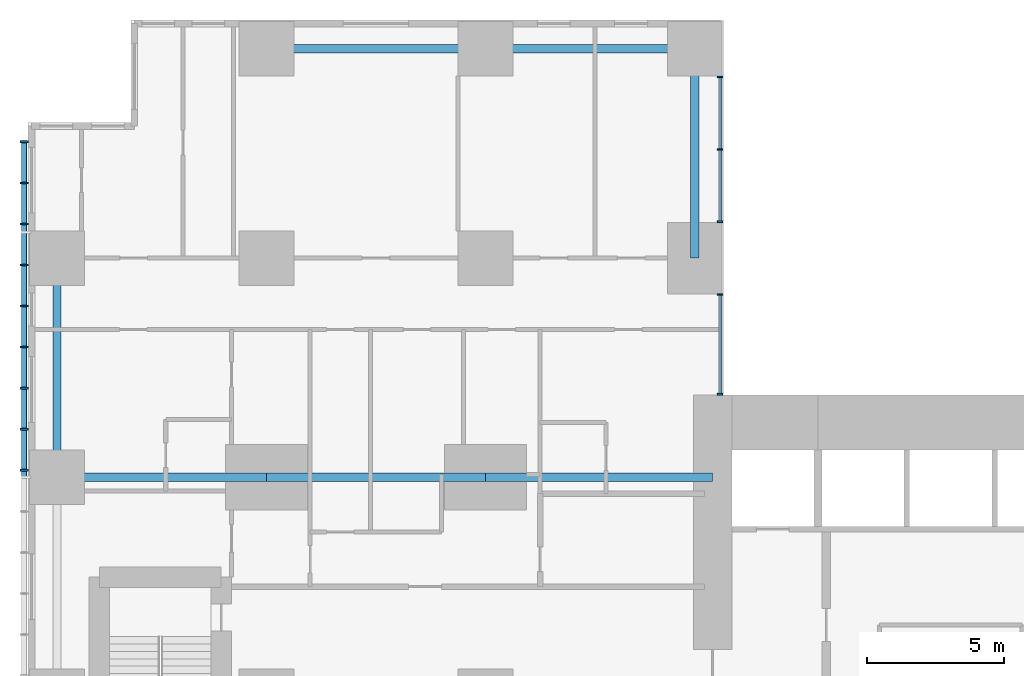
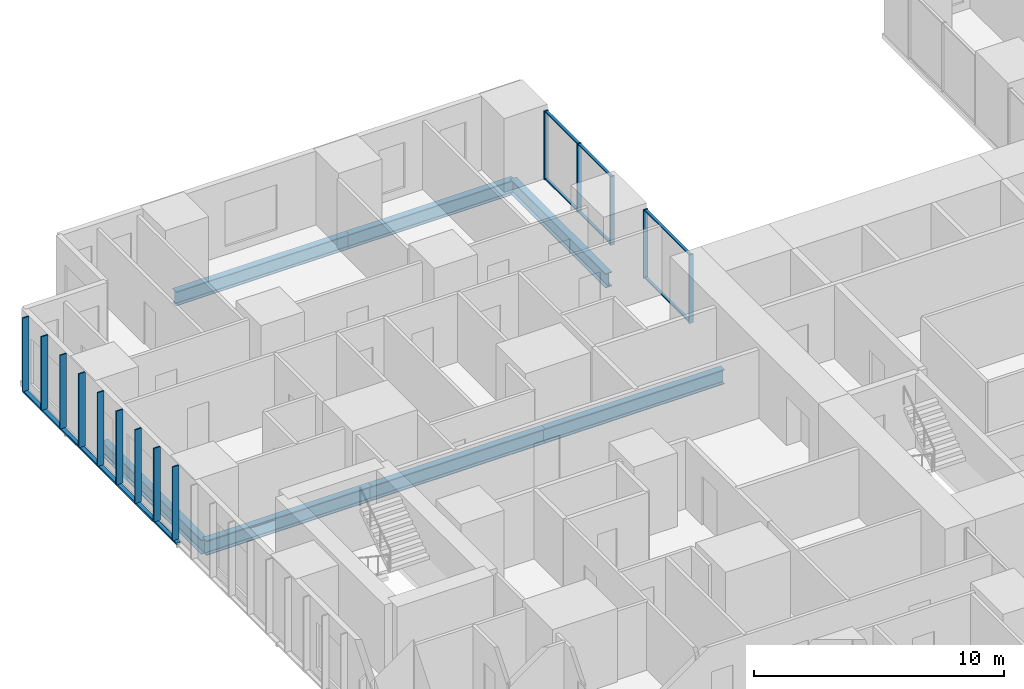
# One storey, part 4 of 20: 21 members, 7 beams, 2 elements without a shape of their own.
"""IFC4 building model written with IfcOpenShell, lengths in metres."""

from ifc_helpers import new_model, si_unit, direction, frame, origin, origin_2d, place, context, subcontext, project, spatial, rectangle, hollow_rectangle, i_section, extrude, material, layer, layer_set, material_profile, profile_set, type_object, element, aggregate, save


model = new_model("IFC4")

# Units and contexts
model_context = context("Model", 3, precision=1e-05, world=origin(), true_north=direction((0.0, 1.0)))
body_context = subcontext(model_context, "Body", "Model", "MODEL_VIEW")
ifc_project = project(units=[si_unit("LENGTHUNIT", "METRE"), si_unit("AREAUNIT", "SQUARE_METRE"), si_unit("VOLUMEUNIT", "CUBIC_METRE"), si_unit("PLANEANGLEUNIT", "RADIAN"), si_unit("MASSUNIT", "GRAM", prefix="KILO")], contexts=[model_context])

# Site, building, storey
site_placement = place(None, origin())
site = spatial("IfcSite", under=ifc_project, at=site_placement, CompositionType="ELEMENT")
building_placement = place(site_placement, origin())
building = spatial("IfcBuilding", under=site, at=building_placement, Name="Cleftline Residences", CompositionType="ELEMENT")
storey_placement = place(building_placement, frame((0.0, 0.0, 150.199951171875)))
storey = spatial("IfcBuildingStorey", under=building, at=storey_placement, Name="L39", CompositionType="ELEMENT", Elevation=150.199951171875)

# Member
ifc_material_1 = material(Name="Steel S355, hot-dip galvanised", Category="steel")
ifc_material_profile_1 = material_profile(ifc_material_1, hollow_rectangle(XDim=0.10009765625, YDim=0.199951171875, WallThickness=0.008056640625, InnerFilletRadius=0.008056640625, OuterFilletRadius=0.011962890625, at=origin_2d()))
ifc_profile_set_1 = profile_set([ifc_material_profile_1], Name="Steel S355, hot-dip galvanised")
member_type_1 = type_object("IfcMemberType", Name="BAGUETTE CARRIER RHS 200X100X8", PredefinedType="USERDEFINED", material=ifc_profile_set_1)
member_1_placement = place(storey_placement, frame((-0.85009765625, 44.300048828125, -0.050048828125), z_axis=(0.0, -1.0, 0.0), x_axis=(0.0, 0.0, 1.0)))
element("IfcMember", 1, at=member_1_placement, inside=storey, type_object=member_type_1, Name="Baguette carrier", ObjectType="BAGUETTE CARRIER", PredefinedType="USERDEFINED", context=body_context, shape_type="SweptSolid", body=[
    extrude(hollow_rectangle(XDim=0.10009765625, YDim=0.199951171875, WallThickness=0.008056640625, InnerFilletRadius=0.008056640625, OuterFilletRadius=0.011962890625, at=origin_2d()), origin(), (0.0, 0.0, 1.0), 12.300048828125),
])

# Beams
ifc_material_2 = material(Name="Steel S355", Category="steel")
ifc_material_profile_2 = material_profile(ifc_material_2, i_section(OverallWidth=0.300048828125, OverallDepth=0.699951171875, WebThickness=0.01708984375, FlangeThickness=0.031982421875, FilletRadius=0.027099609375, at=origin_2d()))
ifc_profile_set_2 = profile_set([ifc_material_profile_2], Name="Steel S355")
beam_type_1 = type_object("IfcBeamType", Name="BEAM HEB 700", PredefinedType="BEAM", material=ifc_profile_set_2)
for number, where, z_axis, x_axis, name in (
    (2, (0.35009765625, 32.0, -0.599853515625), (0.0, 1.0, 0.0), (-1.0, 0.0, 0.0), "Edge beam"),
    (3, (8.0, 47.64990234375, -0.599853515625), (1.0, 0.0, 0.0), (0.0, 1.0, 0.0), "Edge beam"),
):
    element("IfcBeam", number, at=place(storey_placement, frame(where, z_axis=z_axis, x_axis=x_axis)), inside=storey, type_object=beam_type_1, Name=name, PredefinedType="BEAM", context=body_context, shape_type="SweptSolid", body=[
        extrude(i_section(OverallWidth=0.300048828125, OverallDepth=0.699951171875, WebThickness=0.01708984375, FlangeThickness=0.031982421875, FilletRadius=0.027099609375, at=origin_2d()), origin(), (0.0, 0.0, 1.0), 8.0),
    ])
for number, where, z_axis, x_axis, name in (
    (4, (16.0, 47.64990234375, -0.599853515625), (1.0, 0.0, 0.0), (0.0, 1.0, 0.0), "Edge beam"),
    (5, (23.64990234375, 47.64990234375, -0.599853515625), (0.0, -1.0, 0.0), (1.0, 0.0, 0.0), "Edge beam"),
):
    element("IfcBeam", number, at=place(storey_placement, frame(where, z_axis=z_axis, x_axis=x_axis)), inside=storey, type_object=beam_type_1, Name=name, PredefinedType="BEAM", context=body_context, shape_type="SweptSolid", body=[
        extrude(i_section(OverallWidth=0.300048828125, OverallDepth=0.699951171875, WebThickness=0.01708984375, FlangeThickness=0.031982421875, FilletRadius=0.027099609375, at=origin_2d()), origin(), (0.0, 0.0, 1.0), 7.64990234375),
    ])
ifc_material_3 = material(Name="Steel S355", Category="steel")
ifc_material_profile_3 = material_profile(ifc_material_3, i_section(OverallWidth=0.303955078125, OverallDepth=0.716064453125, WebThickness=0.02099609375, FlangeThickness=0.0400390625, FilletRadius=0.027099609375, at=origin_2d()))
ifc_profile_set_3 = profile_set([ifc_material_profile_3], Name="Steel S355")
beam_type_2 = type_object("IfcBeamType", Name="BEAM HEM 700", PredefinedType="BEAM", material=ifc_profile_set_3)
beam_1_placement = place(storey_placement, frame((0.35009765625, 32.0, -0.60791015625), z_axis=(1.0, 0.0, 0.0), x_axis=(0.0, 1.0, 0.0)))
element("IfcBeam", 6, at=beam_1_placement, inside=storey, type_object=beam_type_2, Name="Band beam", PredefinedType="BEAM", context=body_context, shape_type="SweptSolid", body=[
    extrude(i_section(OverallWidth=0.303955078125, OverallDepth=0.716064453125, WebThickness=0.02099609375, FlangeThickness=0.0400390625, FilletRadius=0.027099609375, at=origin_2d()), origin(), (0.0, 0.0, 1.0), 7.64990234375),
])
beam_2_placement = place(storey_placement, frame((8.0, 32.0, -0.60791015625), z_axis=(1.0, 0.0, 0.0), x_axis=(0.0, 1.0, 0.0)))
element("IfcBeam", 7, at=beam_2_placement, inside=storey, type_object=beam_type_2, Name="Band beam", PredefinedType="BEAM", context=body_context, shape_type="SweptSolid", body=[
    extrude(i_section(OverallWidth=0.303955078125, OverallDepth=0.716064453125, WebThickness=0.02099609375, FlangeThickness=0.0400390625, FilletRadius=0.027099609375, at=origin_2d()), origin(), (0.0, 0.0, 1.0), 8.0),
])
beam_3_placement = place(storey_placement, frame((16.0, 32.0, -0.60791015625), z_axis=(1.0, 0.0, 0.0), x_axis=(0.0, 1.0, 0.0)))
element("IfcBeam", 8, at=beam_3_placement, inside=storey, type_object=beam_type_2, Name="Band beam", PredefinedType="BEAM", context=body_context, shape_type="SweptSolid", body=[
    extrude(i_section(OverallWidth=0.303955078125, OverallDepth=0.716064453125, WebThickness=0.02099609375, FlangeThickness=0.0400390625, FilletRadius=0.027099609375, at=origin_2d()), origin(), (0.0, 0.0, 1.0), 8.300048828125),
])

# Curtain wall, members
ifc_material_4 = material(Name="Aluminium framed curtain wall", Category="aluminium")
ifc_layer = layer(ifc_material_4, 0.199951171875)
ifc_layer_set = layer_set([ifc_layer], Name="CW1 CLEFT GLAZING")
curtain_wall_type = type_object("IfcCurtainWallType", Name="CW1 CLEFT GLAZING", PredefinedType="NOTDEFINED", material=ifc_layer_set)
curtain_wall_1_placement = place(storey_placement, origin())
curtain_wall_1 = element("IfcCurtainWall", 9, at=curtain_wall_1_placement, inside=storey, type_object=curtain_wall_type, Name="Curtain wall CW1", PredefinedType="NOTDEFINED")
ifc_material_5 = material(Name="Aluminium mullion", Category="aluminium")
ifc_material_profile_4 = material_profile(ifc_material_5, rectangle(XDim=0.199951171875, YDim=0.06005859375, at=origin_2d()))
ifc_profile_set_4 = profile_set([ifc_material_profile_4], Name="Aluminium mullion")
member_type_2 = type_object("IfcMemberType", Name="CW1 MULLION", PredefinedType="MULLION", material=ifc_profile_set_4)
member_2_placement = place(storey_placement, frame((24.574951171875, 35.030029296875, 0.0), z_axis=(0.0, 0.0, 1.0), x_axis=(-1.0, 0.0, 0.0)))
member_2 = element("IfcMember", 10, at=member_2_placement, type_object=member_type_2, Name="CW1 mullion 1", PredefinedType="MULLION", context=body_context, shape_type="SweptSolid", body=[
    extrude(rectangle(XDim=0.199951171875, YDim=0.06005859375, at=origin_2d()), origin(), (0.0, 0.0, 1.0), 3.35009765625),
])
member_3_placement = place(storey_placement, frame((24.574951171875, 38.669921875, 0.0), z_axis=(0.0, 0.0, 1.0), x_axis=(-1.0, 0.0, 0.0)))
member_3 = element("IfcMember", 11, at=member_3_placement, type_object=member_type_2, Name="CW1 mullion 2", PredefinedType="MULLION", context=body_context, shape_type="SweptSolid", body=[
    extrude(rectangle(XDim=0.199951171875, YDim=0.06005859375, at=origin_2d()), origin(), (0.0, 0.0, 1.0), 3.35009765625),
])

curtain_wall_2_placement = place(storey_placement, origin())
curtain_wall_2 = element("IfcCurtainWall", 12, at=curtain_wall_2_placement, inside=storey, type_object=curtain_wall_type, Name="Curtain wall CW1", PredefinedType="NOTDEFINED")
member_4_placement = place(storey_placement, frame((24.574951171875, 41.330078125, 0.0), z_axis=(0.0, 0.0, 1.0), x_axis=(-1.0, 0.0, 0.0)))
member_4 = element("IfcMember", 13, at=member_4_placement, type_object=member_type_2, Name="CW1 mullion 1", PredefinedType="MULLION", context=body_context, shape_type="SweptSolid", body=[
    extrude(rectangle(XDim=0.199951171875, YDim=0.06005859375, at=origin_2d()), origin(), (0.0, 0.0, 1.0), 3.35009765625),
])
member_5_placement = place(storey_placement, frame((24.574951171875, 43.97509765625, 0.0), z_axis=(0.0, 0.0, 1.0), x_axis=(-1.0, 0.0, 0.0)))
member_5 = element("IfcMember", 14, at=member_5_placement, type_object=member_type_2, Name="CW1 mullion 2", PredefinedType="MULLION", context=body_context, shape_type="SweptSolid", body=[
    extrude(rectangle(XDim=0.199951171875, YDim=0.06005859375, at=origin_2d()), origin(), (0.0, 0.0, 1.0), 3.35009765625),
])
member_6_placement = place(storey_placement, frame((24.574951171875, 46.6201171875, 0.0), z_axis=(0.0, 0.0, 1.0), x_axis=(-1.0, 0.0, 0.0)))
member_6 = element("IfcMember", 15, at=member_6_placement, type_object=member_type_2, Name="CW1 mullion 3", PredefinedType="MULLION", context=body_context, shape_type="SweptSolid", body=[
    extrude(rectangle(XDim=0.199951171875, YDim=0.06005859375, at=origin_2d()), origin(), (0.0, 0.0, 1.0), 3.35009765625),
])

# Member
ifc_material_6 = material(Name="Aluminium transom", Category="aluminium")
ifc_material_profile_5 = material_profile(ifc_material_6, rectangle(XDim=0.1201171875, YDim=0.06005859375, at=origin_2d()))
ifc_profile_set_5 = profile_set([ifc_material_profile_5], Name="Aluminium transom")
member_type_3 = type_object("IfcMemberType", Name="CW1 TRANSOM", PredefinedType="USERDEFINED", material=ifc_profile_set_5)
member_7_placement = place(storey_placement, frame((24.574951171875, 35.06005859375, 0.030029296875), z_axis=(0.0, 1.0, 0.0), x_axis=(-1.0, 0.0, 0.0)))
member_7 = element("IfcMember", 16, at=member_7_placement, type_object=member_type_3, Name="CW1 transom 1.1", ObjectType="TRANSOM", PredefinedType="USERDEFINED", context=body_context, shape_type="SweptSolid", body=[
    extrude(rectangle(XDim=0.1201171875, YDim=0.06005859375, at=origin_2d()), origin(), (0.0, 0.0, 1.0), 3.579833984375),
])

member_8_placement = place(storey_placement, frame((24.574951171875, 35.06005859375, 3.320068359375), z_axis=(0.0, 1.0, 0.0), x_axis=(-1.0, 0.0, 0.0)))
member_8 = element("IfcMember", 17, at=member_8_placement, type_object=member_type_3, Name="CW1 transom 1.2", ObjectType="TRANSOM", PredefinedType="USERDEFINED", context=body_context, shape_type="SweptSolid", body=[
    extrude(rectangle(XDim=0.1201171875, YDim=0.06005859375, at=origin_2d()), origin(), (0.0, 0.0, 1.0), 3.579833984375),
])

aggregate(curtain_wall_1, [member_2, member_3, member_7, member_8])

member_9_placement = place(storey_placement, frame((24.574951171875, 41.360107421875, 0.030029296875), z_axis=(0.0, 1.0, 0.0), x_axis=(-1.0, 0.0, 0.0)))
member_9 = element("IfcMember", 18, at=member_9_placement, type_object=member_type_3, Name="CW1 transom 1.1", ObjectType="TRANSOM", PredefinedType="USERDEFINED", context=body_context, shape_type="SweptSolid", body=[
    extrude(rectangle(XDim=0.1201171875, YDim=0.06005859375, at=origin_2d()), origin(), (0.0, 0.0, 1.0), 2.5849609375),
])

member_10_placement = place(storey_placement, frame((24.574951171875, 41.360107421875, 3.320068359375), z_axis=(0.0, 1.0, 0.0), x_axis=(-1.0, 0.0, 0.0)))
member_10 = element("IfcMember", 19, at=member_10_placement, type_object=member_type_3, Name="CW1 transom 1.2", ObjectType="TRANSOM", PredefinedType="USERDEFINED", context=body_context, shape_type="SweptSolid", body=[
    extrude(rectangle(XDim=0.1201171875, YDim=0.06005859375, at=origin_2d()), origin(), (0.0, 0.0, 1.0), 2.5849609375),
])

member_11_placement = place(storey_placement, frame((24.574951171875, 44.0048828125, 0.030029296875), z_axis=(0.0, 1.0, 0.0), x_axis=(-1.0, 0.0, 0.0)))
member_11 = element("IfcMember", 20, at=member_11_placement, type_object=member_type_3, Name="CW1 transom 2.1", ObjectType="TRANSOM", PredefinedType="USERDEFINED", context=body_context, shape_type="SweptSolid", body=[
    extrude(rectangle(XDim=0.1201171875, YDim=0.06005859375, at=origin_2d()), origin(), (0.0, 0.0, 1.0), 2.585205078125),
])

member_12_placement = place(storey_placement, frame((24.574951171875, 44.0048828125, 3.320068359375), z_axis=(0.0, 1.0, 0.0), x_axis=(-1.0, 0.0, 0.0)))
member_12 = element("IfcMember", 21, at=member_12_placement, type_object=member_type_3, Name="CW1 transom 2.2", ObjectType="TRANSOM", PredefinedType="USERDEFINED", context=body_context, shape_type="SweptSolid", body=[
    extrude(rectangle(XDim=0.1201171875, YDim=0.06005859375, at=origin_2d()), origin(), (0.0, 0.0, 1.0), 2.585205078125),
])

aggregate(curtain_wall_2, [member_4, member_5, member_6, member_9, member_10, member_11, member_12])

# Members
ifc_material_7 = material(Name="Extruded terracotta", Category="masonry")
ifc_material_profile_6 = material_profile(ifc_material_7, rectangle(XDim=0.06005859375, YDim=0.300048828125, at=origin_2d()))
ifc_profile_set_6 = profile_set([ifc_material_profile_6], Name="Extruded terracotta")
member_type_4 = type_object("IfcMemberType", Name="TERRACOTTA BAGUETTE 60X300", PredefinedType="USERDEFINED", material=ifc_profile_set_6)
for number, where, z_axis, x_axis, name in (
    (22, (-0.85009765625, 44.25, 0.0), (0.0, 0.0, 1.0), (0.0, 1.0, 0.0), "Terracotta baguette"),
    (23, (-0.85009765625, 42.75, 0.0), (0.0, 0.0, 1.0), (0.0, 1.0, 0.0), "Terracotta baguette"),
    (24, (-0.85009765625, 41.25, 0.0), (0.0, 0.0, 1.0), (0.0, 1.0, 0.0), "Terracotta baguette"),
    (25, (-0.85009765625, 39.75, 0.0), (0.0, 0.0, 1.0), (0.0, 1.0, 0.0), "Terracotta baguette"),
    (26, (-0.85009765625, 38.25, 0.0), (0.0, 0.0, 1.0), (0.0, 1.0, 0.0), "Terracotta baguette"),
    (27, (-0.85009765625, 36.75, 0.0), (0.0, 0.0, 1.0), (0.0, 1.0, 0.0), "Terracotta baguette"),
    (28, (-0.85009765625, 35.25, 0.0), (0.0, 0.0, 1.0), (0.0, 1.0, 0.0), "Terracotta baguette"),
    (29, (-0.85009765625, 33.75, 0.0), (0.0, 0.0, 1.0), (0.0, 1.0, 0.0), "Terracotta baguette"),
    (30, (-0.85009765625, 32.25, 0.0), (0.0, 0.0, 1.0), (0.0, 1.0, 0.0), "Terracotta baguette"),
):
    element("IfcMember", number, at=place(storey_placement, frame(where, z_axis=z_axis, x_axis=x_axis)), inside=storey, type_object=member_type_4, Name=name, ObjectType="BAGUETTE", PredefinedType="USERDEFINED", context=body_context, shape_type="SweptSolid", body=[
        extrude(rectangle(XDim=0.06005859375, YDim=0.300048828125, at=origin_2d()), origin(), (0.0, 0.0, 1.0), 3.60009765625),
    ])

save(model, "model.ifc")
